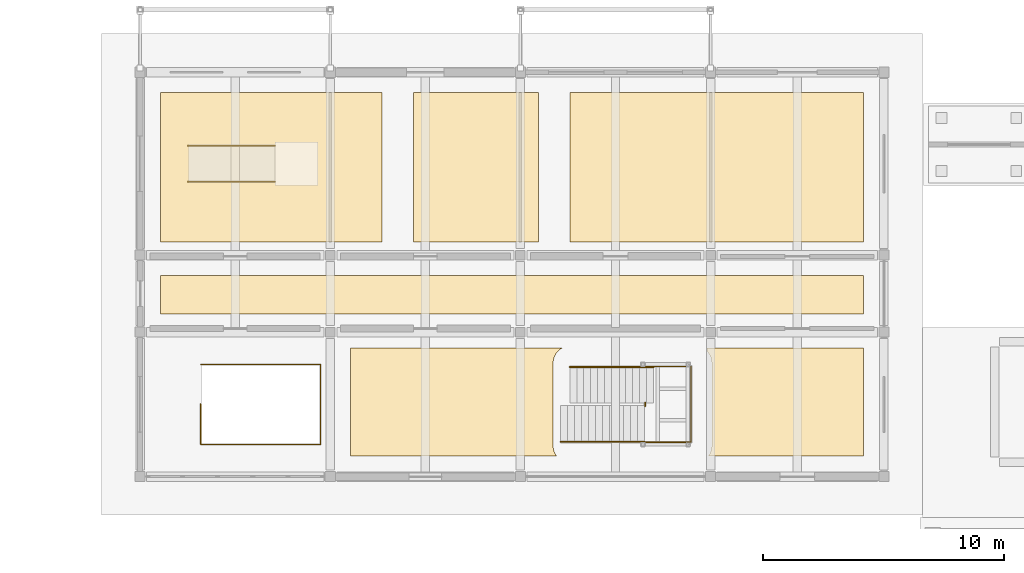
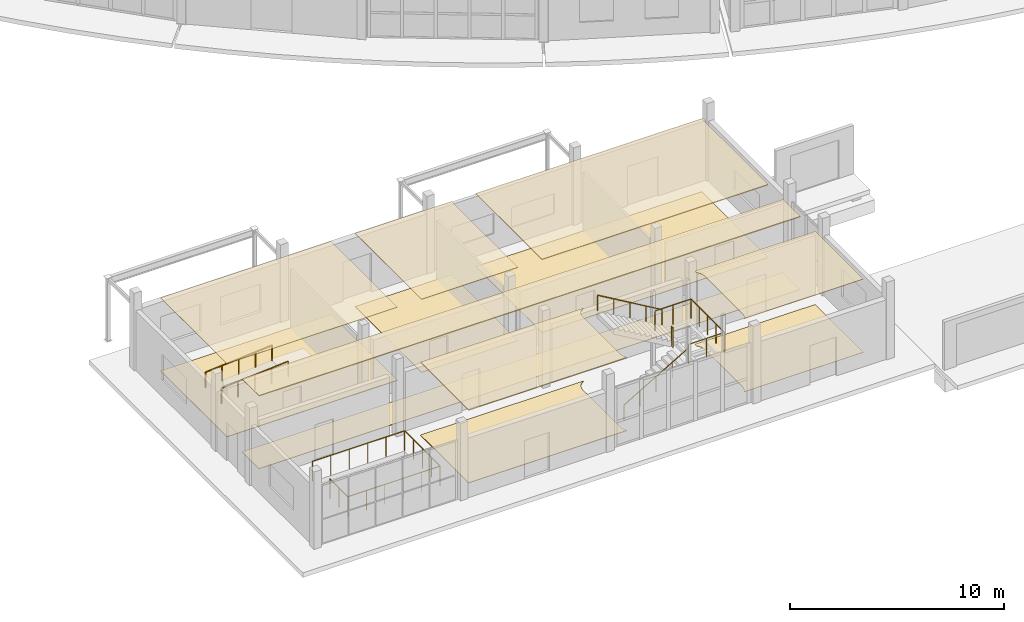
# One storey, part 77 of 92: 12 coverings, 7 railings.
"""IFC4 building model written with IfcOpenShell, lengths in metres."""

from ifc_helpers import new_model, si_unit, direction, frame, origin, origin_2d, place, context, subcontext, project, spatial, polyline, circle, outline, extrude, material, layer, layer_set, type_object, element, save


model = new_model("IFC4")

# Units and contexts
model_context = context("Model", 3, precision=1e-05, world=origin(), true_north=direction((0.0, 1.0)))
body_context = subcontext(model_context, "Body", "Model", "MODEL_VIEW")
ifc_project = project(units=[si_unit("LENGTHUNIT", "METRE"), si_unit("AREAUNIT", "SQUARE_METRE"), si_unit("VOLUMEUNIT", "CUBIC_METRE"), si_unit("PLANEANGLEUNIT", "RADIAN"), si_unit("MASSUNIT", "GRAM", prefix="KILO")], contexts=[model_context])

# Site, building, storey
site_placement = place(None, origin())
site = spatial("IfcSite", under=ifc_project, at=site_placement, CompositionType="ELEMENT")
building_placement = place(site_placement, origin())
building = spatial("IfcBuilding", under=site, at=building_placement, Name="Caldaven Crescent School", CompositionType="ELEMENT")
storey_placement = place(building_placement, origin())
storey = spatial("IfcBuildingStorey", under=building, at=storey_placement, Name="L00", CompositionType="ELEMENT", Elevation=0.0)

# Coverings
ifc_material_1 = material(Name="Perforated Pino Radiata acoustic timber baffle ceiling", Category="wood")
ifc_layer_1 = layer(ifc_material_1, 0.030029296875)
ifc_layer_set_1 = layer_set([ifc_layer_1], Name="Perforated Pino Radiata acoustic timber baffle ceiling")
covering_type_1 = type_object("IfcCoveringType", Name="COV-CLG1", PredefinedType="CEILING", material=ifc_layer_set_1)
covering_1_placement = place(storey_placement, frame((0.0, 0.0, 4.169921875)))
element("IfcCovering", 1, at=covering_1_placement, inside=storey, type_object=covering_type_1, Name="CLG-L00-044", PredefinedType="CEILING", context=body_context, shape_type="SweptSolid", body=[
    extrude(outline(polyline([(35.550048828125, 20.14990234375), (35.550048828125, 13.949951171875), (26.35009765625, 13.949951171875), (26.35009765625, 20.14990234375), (35.550048828125, 20.14990234375)])), origin(), (0.0, 0.0, 1.0), 0.030029296875),
])
covering_2_placement = place(storey_placement, frame((0.0, 0.0, 4.169921875)))
element("IfcCovering", 2, at=covering_2_placement, inside=storey, type_object=covering_type_1, Name="CLG-L00-048", PredefinedType="CEILING", context=body_context, shape_type="SweptSolid", body=[
    extrude(outline(polyline([(49.050048828125, 9.550048828125), (55.550048828125, 9.550048828125), (55.550048828125, 5.050048828125), (49.10205078125, 5.050048828125), (49.104736328125, 5.053466796875), (49.119384765625, 5.0732421875), (49.144287109375, 5.1103515625), (49.156982421875, 5.131591796875), (49.177001953125, 5.169189453125), (49.1875, 5.191162109375), (49.205078125, 5.23388671875), (49.21337890625, 5.2568359375), (49.2255859375, 5.29736328125), (49.2314453125, 5.3212890625), (49.240234375, 5.365234375), (49.243896484375, 5.3896484375), (49.248291015625, 5.43359375), (49.24951171875, 5.4580078125), (49.25, 5.47998046875), (49.25, 8.919921875), (49.24951171875, 8.94189453125), (49.248291015625, 8.966552734375), (49.243896484375, 9.010498046875), (49.240234375, 9.03466796875), (49.2314453125, 9.078857421875), (49.2255859375, 9.1025390625), (49.21337890625, 9.14306640625), (49.205078125, 9.166259765625), (49.1875, 9.208740234375), (49.177001953125, 9.23095703125), (49.156982421875, 9.2685546875), (49.144287109375, 9.28955078125), (49.119384765625, 9.326904296875), (49.104736328125, 9.346435546875), (49.07666015625, 9.380859375), (49.060302734375, 9.39892578125), (49.050048828125, 9.4091796875), (49.050048828125, 9.550048828125)])), origin(), (0.0, 0.0, 1.0), 0.030029296875),
])
ifc_layer_2 = layer(ifc_material_1, 0.0380859375)
ifc_layer_set_2 = layer_set([ifc_layer_2], Name="Perforated Pino Radiata acoustic timber baffle ceiling")
covering_type_2 = type_object("IfcCoveringType", Name="COV-CLG2", PredefinedType="CEILING", material=ifc_layer_set_2)
covering_3_placement = place(storey_placement, frame((0.0, 0.0, 4.162109375)))
element("IfcCovering", 3, at=covering_3_placement, inside=storey, type_object=covering_type_2, Name="CLG-L00-045", PredefinedType="CEILING", context=body_context, shape_type="SweptSolid", body=[
    extrude(outline(polyline([(42.050048828125, 20.14990234375), (42.050048828125, 13.949951171875), (36.85009765625, 13.949951171875), (36.85009765625, 20.14990234375), (42.050048828125, 20.14990234375)])), origin(), (0.0, 0.0, 1.0), 0.037841796875),
])
ifc_layer_3 = layer(ifc_material_1, 0.0458984375)
ifc_layer_set_3 = layer_set([ifc_layer_3], Name="Perforated Pino Radiata acoustic timber baffle ceiling")
covering_type_3 = type_object("IfcCoveringType", Name="COV-CLG3", PredefinedType="CEILING", material=ifc_layer_set_3)
covering_4_placement = place(storey_placement, frame((0.0, 0.0, 4.154052734375)))
element("IfcCovering", 4, at=covering_4_placement, inside=storey, type_object=covering_type_3, Name="CLG-L00-046", PredefinedType="CEILING", context=body_context, shape_type="SweptSolid", body=[
    extrude(outline(polyline([(55.550048828125, 20.14990234375), (55.550048828125, 13.949951171875), (43.35009765625, 13.949951171875), (43.35009765625, 20.14990234375), (55.550048828125, 20.14990234375)])), origin(), (0.0, 0.0, 1.0), 0.0458984375),
])
ifc_layer_4 = layer(ifc_material_1, 0.053955078125)
ifc_layer_set_4 = layer_set([ifc_layer_4], Name="Perforated Pino Radiata acoustic timber baffle ceiling")
covering_type_4 = type_object("IfcCoveringType", Name="COV-CLG4", PredefinedType="CEILING", material=ifc_layer_set_4)
covering_5_placement = place(storey_placement, frame((0.0, 0.0, 4.14599609375)))
element("IfcCovering", 5, at=covering_5_placement, inside=storey, type_object=covering_type_4, Name="CLG-L00-043", PredefinedType="CEILING", context=body_context, shape_type="SweptSolid", body=[
    extrude(outline(polyline([(55.550048828125, 12.550048828125), (55.550048828125, 10.949951171875), (26.35009765625, 10.949951171875), (26.35009765625, 12.550048828125), (55.550048828125, 12.550048828125)])), origin(), (0.0, 0.0, 1.0), 0.053955078125),
])
covering_6_placement = place(storey_placement, frame((0.0, 0.0, 4.14599609375)))
element("IfcCovering", 6, at=covering_6_placement, inside=storey, type_object=covering_type_4, Name="CLG-L00-047", PredefinedType="CEILING", context=body_context, shape_type="SweptSolid", body=[
    extrude(outline(polyline([(34.25, 5.050048828125), (34.25, 9.550048828125), (43.053466796875, 9.550048828125), (43.047119140625, 9.547119140625), (43.009521484375, 9.52685546875), (42.98828125, 9.514404296875), (42.951171875, 9.489501953125), (42.931396484375, 9.474853515625), (42.897216796875, 9.44677734375), (42.87890625, 9.43017578125), (42.847900390625, 9.39892578125), (42.831298828125, 9.380859375), (42.80322265625, 9.346435546875), (42.78857421875, 9.326904296875), (42.763671875, 9.28955078125), (42.751220703125, 9.2685546875), (42.73095703125, 9.23095703125), (42.720458984375, 9.208740234375), (42.702880859375, 9.166259765625), (42.694580078125, 9.14306640625), (42.6826171875, 9.1025390625), (42.676513671875, 9.078857421875), (42.667724609375, 9.03466796875), (42.6640625, 9.010498046875), (42.65966796875, 8.966552734375), (42.658447265625, 8.94189453125), (42.657958984375, 8.919921875), (42.657958984375, 5.47998046875), (42.658447265625, 5.4580078125), (42.65966796875, 5.43359375), (42.6640625, 5.3896484375), (42.667724609375, 5.365234375), (42.676513671875, 5.3212890625), (42.6826171875, 5.29736328125), (42.694580078125, 5.2568359375), (42.702880859375, 5.23388671875), (42.720458984375, 5.191162109375), (42.73095703125, 5.169189453125), (42.751220703125, 5.131591796875), (42.763671875, 5.1103515625), (42.78857421875, 5.0732421875), (42.80322265625, 5.053466796875), (42.805908203125, 5.050048828125), (34.25, 5.050048828125)])), origin(), (0.0, 0.0, 1.0), 0.053955078125),
])
ifc_material_2 = material(Name="Polished terrazzo and acoustic linoleum flooring")
ifc_layer_5 = layer(ifc_material_2, 0.02001953125)
ifc_layer_set_5 = layer_set([ifc_layer_5], Name="Polished terrazzo and acoustic linoleum flooring")
covering_type_5 = type_object("IfcCoveringType", Name="COV-FLR1", PredefinedType="FLOORING", material=ifc_layer_set_5)
covering_7_placement = place(storey_placement, origin())
element("IfcCovering", 7, at=covering_7_placement, inside=storey, type_object=covering_type_5, Name="FLR-L00-045", PredefinedType="FLOORING", context=body_context, shape_type="SweptSolid", body=[
    extrude(outline(polyline([(36.85009765625, 20.14990234375), (42.050048828125, 20.14990234375), (42.050048828125, 13.949951171875), (36.85009765625, 13.949951171875), (36.85009765625, 20.14990234375)])), origin(), (0.0, 0.0, 1.0), 0.02001953125),
])
covering_8_placement = place(storey_placement, origin())
element("IfcCovering", 8, at=covering_8_placement, inside=storey, type_object=covering_type_5, Name="FLR-L00-048", PredefinedType="FLOORING", context=body_context, shape_type="SweptSolid", body=[
    extrude(outline(polyline([(49.050048828125, 9.4091796875), (49.050048828125, 9.550048828125), (55.550048828125, 9.550048828125), (55.550048828125, 5.050048828125), (49.10205078125, 5.050048828125), (49.104736328125, 5.053466796875), (49.119384765625, 5.0732421875), (49.144287109375, 5.1103515625), (49.156982421875, 5.131591796875), (49.177001953125, 5.169189453125), (49.1875, 5.191162109375), (49.205078125, 5.23388671875), (49.21337890625, 5.2568359375), (49.2255859375, 5.29736328125), (49.2314453125, 5.3212890625), (49.240234375, 5.365234375), (49.243896484375, 5.3896484375), (49.248291015625, 5.43359375), (49.24951171875, 5.4580078125), (49.25, 5.47998046875), (49.25, 8.919921875), (49.24951171875, 8.94189453125), (49.248291015625, 8.966552734375), (49.243896484375, 9.010498046875), (49.240234375, 9.03466796875), (49.2314453125, 9.078857421875), (49.2255859375, 9.1025390625), (49.21337890625, 9.14306640625), (49.205078125, 9.166259765625), (49.1875, 9.208740234375), (49.177001953125, 9.23095703125), (49.156982421875, 9.2685546875), (49.144287109375, 9.28955078125), (49.119384765625, 9.326904296875), (49.104736328125, 9.346435546875), (49.07666015625, 9.380859375), (49.060302734375, 9.39892578125), (49.050048828125, 9.4091796875)])), origin(), (0.0, 0.0, 1.0), 0.02001953125),
])
ifc_layer_6 = layer(ifc_material_2, 0.02587890625)
ifc_layer_set_6 = layer_set([ifc_layer_6], Name="Polished terrazzo and acoustic linoleum flooring")
covering_type_6 = type_object("IfcCoveringType", Name="COV-FLR2", PredefinedType="FLOORING", material=ifc_layer_set_6)
covering_9_placement = place(storey_placement, origin())
element("IfcCovering", 9, at=covering_9_placement, inside=storey, type_object=covering_type_6, Name="FLR-L00-043", PredefinedType="FLOORING", context=body_context, shape_type="SweptSolid", body=[
    extrude(outline(polyline([(26.35009765625, 12.550048828125), (55.550048828125, 12.550048828125), (55.550048828125, 10.949951171875), (26.35009765625, 10.949951171875), (26.35009765625, 12.550048828125)])), origin(), (0.0, 0.0, 1.0), 0.02587890625),
])
covering_10_placement = place(storey_placement, origin())
element("IfcCovering", 10, at=covering_10_placement, inside=storey, type_object=covering_type_6, Name="FLR-L00-046", PredefinedType="FLOORING", context=body_context, shape_type="SweptSolid", body=[
    extrude(outline(polyline([(43.35009765625, 20.14990234375), (55.550048828125, 20.14990234375), (55.550048828125, 13.949951171875), (43.35009765625, 13.949951171875), (43.35009765625, 20.14990234375)])), origin(), (0.0, 0.0, 1.0), 0.02587890625),
])
ifc_layer_7 = layer(ifc_material_2, 0.031982421875)
ifc_layer_set_7 = layer_set([ifc_layer_7], Name="Polished terrazzo and acoustic linoleum flooring")
covering_type_7 = type_object("IfcCoveringType", Name="COV-FLR3", PredefinedType="FLOORING", material=ifc_layer_set_7)
covering_11_placement = place(storey_placement, origin())
element("IfcCovering", 11, at=covering_11_placement, inside=storey, type_object=covering_type_7, Name="FLR-L00-044", PredefinedType="FLOORING", context=body_context, shape_type="SweptSolid", body=[
    extrude(outline(polyline([(26.35009765625, 20.14990234375), (35.550048828125, 20.14990234375), (35.550048828125, 13.949951171875), (26.35009765625, 13.949951171875), (26.35009765625, 20.14990234375)])), origin(), (0.0, 0.0, 1.0), 0.031982421875),
])
covering_12_placement = place(storey_placement, origin())
element("IfcCovering", 12, at=covering_12_placement, inside=storey, type_object=covering_type_7, Name="FLR-L00-047", PredefinedType="FLOORING", context=body_context, shape_type="SweptSolid", body=[
    extrude(outline(polyline([(42.805908203125, 5.050048828125), (34.25, 5.050048828125), (34.25, 9.550048828125), (43.053466796875, 9.550048828125), (43.047119140625, 9.547119140625), (43.009521484375, 9.52685546875), (42.98828125, 9.514404296875), (42.951171875, 9.489501953125), (42.931396484375, 9.474853515625), (42.897216796875, 9.44677734375), (42.87890625, 9.43017578125), (42.847900390625, 9.39892578125), (42.831298828125, 9.380859375), (42.80322265625, 9.346435546875), (42.78857421875, 9.326904296875), (42.763671875, 9.28955078125), (42.751220703125, 9.2685546875), (42.73095703125, 9.23095703125), (42.720458984375, 9.208740234375), (42.702880859375, 9.166259765625), (42.694580078125, 9.14306640625), (42.6826171875, 9.1025390625), (42.676513671875, 9.078857421875), (42.667724609375, 9.03466796875), (42.6640625, 9.010498046875), (42.65966796875, 8.966552734375), (42.658447265625, 8.94189453125), (42.657958984375, 8.919921875), (42.657958984375, 5.47998046875), (42.658447265625, 5.4580078125), (42.65966796875, 5.43359375), (42.6640625, 5.3896484375), (42.667724609375, 5.365234375), (42.676513671875, 5.3212890625), (42.6826171875, 5.29736328125), (42.694580078125, 5.2568359375), (42.702880859375, 5.23388671875), (42.720458984375, 5.191162109375), (42.73095703125, 5.169189453125), (42.751220703125, 5.131591796875), (42.763671875, 5.1103515625), (42.78857421875, 5.0732421875), (42.80322265625, 5.053466796875), (42.805908203125, 5.050048828125)])), origin(), (0.0, 0.0, 1.0), 0.031982421875),
])

# Railings
ifc_material_3 = material(Name="Brushed stainless-steel continuous tubular handrail", Category="steel")
railing_type_1 = type_object("IfcRailingType", Name="RAL-HR1", PredefinedType="HANDRAIL", material=ifc_material_3)
for number, where, name in (
    (13, (27.5, 16.449951171875, 0.0), "HR-RMP5-L"),
    (14, (27.5, 17.949951171875, 0.0), "HR-RMP5-R"),
):
    element("IfcRailing", number, at=place(storey_placement, frame(where)), inside=storey, type_object=railing_type_1, Name=name, PredefinedType="HANDRAIL", context=body_context, shape_type="SweptSolid", body=[
        extrude(circle(Radius=0.02392578125, at=origin_2d()), frame((0.0, 0.0, 0.8759765625), z_axis=(0.996988498323, 0.0, 0.077549559716), x_axis=(0.0, 1.0, 0.0)), (0.0, 0.0, 1.0), 3.611083984375),
        extrude(circle(Radius=0.02099609375, at=origin_2d()), origin(), (0.0, 0.0, 1.0), 0.851806640625),
        extrude(circle(Radius=0.02099609375, at=origin_2d()), frame((0.89990234375, 0.0, 0.070068359375)), (0.0, 0.0, 1.0), 0.851806640625),
        extrude(circle(Radius=0.02099609375, at=origin_2d()), frame((1.800048828125, 0.0, 0.14013671875)), (0.0, 0.0, 1.0), 0.851806640625),
        extrude(circle(Radius=0.02099609375, at=origin_2d()), frame((2.7001953125, 0.0, 0.2099609375)), (0.0, 0.0, 1.0), 0.851806640625),
        extrude(circle(Radius=0.02099609375, at=origin_2d()), frame((3.60009765625, 0.0, 0.280029296875)), (0.0, 0.0, 1.0), 0.851806640625),
    ])
railing_type_2 = type_object("IfcRailingType", Name="RAL-HR2", PredefinedType="HANDRAIL", material=ifc_material_3)
railing_1_placement = place(storey_placement, frame((42.969970703125, 5.64501953125, 0.173095703125)))
element("IfcRailing", 15, at=railing_1_placement, inside=storey, type_object=railing_type_2, Name="HR-STV4S-L00-F1", PredefinedType="HANDRAIL", context=body_context, shape_type="SweptSolid", body=[
    extrude(circle(Radius=0.02392578125, at=origin_2d()), frame((0.0, 0.0, 0.8759765625), z_axis=(0.862718911971, 0.0, 0.505683773644), x_axis=(0.0, 1.0, 0.0)), (0.0, 0.0, 1.0), 4.03369140625),
    extrude(circle(Radius=0.02099609375, at=origin_2d()), origin(), (0.0, 0.0, 1.0), 0.851806640625),
    extrude(circle(Radius=0.02099609375, at=origin_2d()), frame((0.8701171875, 0.0, 0.510009765625)), (0.0, 0.0, 1.0), 0.851806640625),
    extrude(circle(Radius=0.02099609375, at=origin_2d()), frame((1.739990234375, 0.0, 1.02001953125)), (0.0, 0.0, 1.0), 0.851806640625),
    extrude(circle(Radius=0.02099609375, at=origin_2d()), frame((2.60986328125, 0.0, 1.52978515625)), (0.0, 0.0, 1.0), 0.851806640625),
    extrude(circle(Radius=0.02099609375, at=origin_2d()), frame((3.47998046875, 0.0, 2.039794921875)), (0.0, 0.0, 1.0), 0.851806640625),
])
railing_2_placement = place(storey_placement, frame((46.830078125, 8.7548828125, 2.383056640625)))
element("IfcRailing", 16, at=railing_2_placement, inside=storey, type_object=railing_type_2, Name="HR-STV4S-L00-F2", PredefinedType="HANDRAIL", context=body_context, shape_type="SweptSolid", body=[
    extrude(circle(Radius=0.02392578125, at=origin_2d()), frame((0.0, 0.0, 0.8759765625), z_axis=(-0.862692506924, 0.0, 0.505728819128), x_axis=(0.0, -1.0, 0.0)), (0.0, 0.0, 1.0), 4.033935546875),
    extrude(circle(Radius=0.02099609375, at=origin_2d()), origin(), (0.0, 0.0, 1.0), 0.851806640625),
    extrude(circle(Radius=0.02099609375, at=origin_2d()), frame((-0.8701171875, 0.0, 0.510009765625)), (0.0, 0.0, 1.0), 0.851806640625),
    extrude(circle(Radius=0.02099609375, at=origin_2d()), frame((-1.739990234375, 0.0, 1.02001953125)), (0.0, 0.0, 1.0), 0.851806640625),
    extrude(circle(Radius=0.02099609375, at=origin_2d()), frame((-2.60986328125, 0.0, 1.530029296875)), (0.0, 0.0, 1.0), 0.851806640625),
    extrude(circle(Radius=0.02099609375, at=origin_2d()), frame((-3.47998046875, 0.0, 2.0400390625)), (0.0, 0.0, 1.0), 0.851806640625),
])
ifc_material_4 = material(Name="Powder-coated tubular steel balustrade ASTM A572 Grade 50", Category="steel")
railing_type_3 = type_object("IfcRailingType", Name="RAL-INT2", PredefinedType="BALUSTRADE", material=ifc_material_4)
railing_3_placement = place(storey_placement, frame((46.449951171875, 5.6298828125, 2.2099609375)))
element("IfcRailing", 17, at=railing_3_placement, inside=storey, type_object=railing_type_3, Name="GD-LND-STV4S-L00", PredefinedType="BALUSTRADE", context=body_context, shape_type="SweptSolid", body=[
    extrude(circle(Radius=0.02392578125, at=origin_2d()), frame((0.0, 0.0, 1.09619140625), z_axis=(1.0, 0.0, 0.0), x_axis=(0.0, 1.0, 0.0)), (0.0, 0.0, 1.0), 1.93994140625),
    extrude(circle(Radius=0.02392578125, at=origin_2d()), frame((1.93994140625, 0.0, 1.09619140625), z_axis=(0.0, 1.0, 0.0), x_axis=(-1.0, 0.0, 0.0)), (0.0, 0.0, 1.0), 3.14013671875),
    extrude(circle(Radius=0.02392578125, at=origin_2d()), frame((1.93994140625, 3.14013671875, 1.09619140625), z_axis=(-1.0, 0.0, 0.0), x_axis=(0.0, -1.0, 0.0)), (0.0, 0.0, 1.0), 1.93994140625),
    extrude(circle(Radius=0.02099609375, at=origin_2d()), origin(), (0.0, 0.0, 1.0), 1.072021484375),
    extrude(circle(Radius=0.02099609375, at=origin_2d()), frame((0.969970703125, 0.0, 0.0)), (0.0, 0.0, 1.0), 1.072021484375),
    extrude(circle(Radius=0.02099609375, at=origin_2d()), frame((1.93994140625, 0.0, 0.0)), (0.0, 0.0, 1.0), 1.072021484375),
    extrude(circle(Radius=0.02099609375, at=origin_2d()), frame((1.93994140625, 0.78515625, 0.0)), (0.0, 0.0, 1.0), 1.072021484375),
    extrude(circle(Radius=0.02099609375, at=origin_2d()), frame((1.93994140625, 1.570068359375, 0.0)), (0.0, 0.0, 1.0), 1.072021484375),
    extrude(circle(Radius=0.02099609375, at=origin_2d()), frame((1.93994140625, 2.35498046875, 0.0)), (0.0, 0.0, 1.0), 1.072021484375),
    extrude(circle(Radius=0.02099609375, at=origin_2d()), frame((1.93994140625, 3.14013671875, 0.0)), (0.0, 0.0, 1.0), 1.072021484375),
    extrude(circle(Radius=0.02099609375, at=origin_2d()), frame((0.969970703125, 3.14013671875, 0.0)), (0.0, 0.0, 1.0), 1.072021484375),
    extrude(circle(Radius=0.02099609375, at=origin_2d()), frame((0.0, 3.14013671875, 0.0)), (0.0, 0.0, 1.0), 1.072021484375),
])
railing_4_placement = place(storey_placement, frame((46.47998046875, 7.1298828125, 2.2099609375)))
element("IfcRailing", 18, at=railing_4_placement, inside=storey, type_object=railing_type_3, Name="GD-SLT-STV4S-L00", PredefinedType="BALUSTRADE", context=body_context, shape_type="SweptSolid", body=[
    extrude(circle(Radius=0.02392578125, at=origin_2d()), frame((0.0, 0.0, 1.09619140625), z_axis=(0.0, 1.0, 0.0), x_axis=(-1.0, 0.0, 0.0)), (0.0, 0.0, 1.0), 0.14013671875),
    extrude(circle(Radius=0.02099609375, at=origin_2d()), origin(), (0.0, 0.0, 1.0), 1.072021484375),
    extrude(circle(Radius=0.02099609375, at=origin_2d()), frame((0.0, 0.14013671875, 0.0)), (0.0, 0.0, 1.0), 1.072021484375),
])
railing_type_4 = type_object("IfcRailingType", Name="RAL-INT3", PredefinedType="BALUSTRADE", material=ifc_material_4)
railing_5_placement = place(storey_placement, frame((28.01806640625, 7.219970703125, 0.0)))
element("IfcRailing", 19, at=railing_5_placement, inside=storey, type_object=railing_type_4, Name="GD-WELL-STB2-L00", PredefinedType="BALUSTRADE", context=body_context, shape_type="SweptSolid", body=[
    extrude(circle(Radius=0.02392578125, at=origin_2d()), frame((0.0, 0.0, 1.1259765625), z_axis=(0.0, -1.0, 0.0), x_axis=(1.0, 0.0, 0.0)), (0.0, 0.0, 1.0), 1.679931640625),
    extrude(circle(Radius=0.02392578125, at=origin_2d()), frame((0.0, -1.679931640625, 1.1259765625), z_axis=(1.0, 0.0, 0.0), x_axis=(0.0, 1.0, 0.0)), (0.0, 0.0, 1.0), 4.98193359375),
    extrude(circle(Radius=0.02392578125, at=origin_2d()), frame((4.98193359375, -1.679931640625, 1.1259765625), z_axis=(0.0, 1.0, 0.0), x_axis=(-1.0, 0.0, 0.0)), (0.0, 0.0, 1.0), 3.320068359375),
    extrude(circle(Radius=0.02392578125, at=origin_2d()), frame((4.98193359375, 1.64013671875, 1.1259765625), z_axis=(-1.0, 0.0, 0.0), x_axis=(0.0, -1.0, 0.0)), (0.0, 0.0, 1.0), 4.98193359375),
    extrude(circle(Radius=0.02099609375, at=origin_2d()), origin(), (0.0, 0.0, 1.0), 1.101806640625),
    extrude(circle(Radius=0.02099609375, at=origin_2d()), frame((0.0, -0.83984375, 0.0)), (0.0, 0.0, 1.0), 1.101806640625),
    extrude(circle(Radius=0.02099609375, at=origin_2d()), frame((0.0, -1.679931640625, 0.0)), (0.0, 0.0, 1.0), 1.101806640625),
    extrude(circle(Radius=0.02099609375, at=origin_2d()), frame((0.996337890625, -1.679931640625, 0.0)), (0.0, 0.0, 1.0), 1.101806640625),
    extrude(circle(Radius=0.02099609375, at=origin_2d()), frame((1.99267578125, -1.679931640625, 0.0)), (0.0, 0.0, 1.0), 1.101806640625),
    extrude(circle(Radius=0.02099609375, at=origin_2d()), frame((2.9892578125, -1.679931640625, 0.0)), (0.0, 0.0, 1.0), 1.101806640625),
    extrude(circle(Radius=0.02099609375, at=origin_2d()), frame((3.985595703125, -1.679931640625, 0.0)), (0.0, 0.0, 1.0), 1.101806640625),
    extrude(circle(Radius=0.02099609375, at=origin_2d()), frame((4.98193359375, -1.679931640625, 0.0)), (0.0, 0.0, 1.0), 1.101806640625),
    extrude(circle(Radius=0.02099609375, at=origin_2d()), frame((4.98193359375, -0.849853515625, 0.0)), (0.0, 0.0, 1.0), 1.101806640625),
    extrude(circle(Radius=0.02099609375, at=origin_2d()), frame((4.98193359375, -0.02001953125, 0.0)), (0.0, 0.0, 1.0), 1.101806640625),
    extrude(circle(Radius=0.02099609375, at=origin_2d()), frame((4.98193359375, 0.81005859375, 0.0)), (0.0, 0.0, 1.0), 1.101806640625),
    extrude(circle(Radius=0.02099609375, at=origin_2d()), frame((4.98193359375, 1.64013671875, 0.0)), (0.0, 0.0, 1.0), 1.101806640625),
    extrude(circle(Radius=0.02099609375, at=origin_2d()), frame((3.985595703125, 1.64013671875, 0.0)), (0.0, 0.0, 1.0), 1.101806640625),
    extrude(circle(Radius=0.02099609375, at=origin_2d()), frame((2.9892578125, 1.64013671875, 0.0)), (0.0, 0.0, 1.0), 1.101806640625),
    extrude(circle(Radius=0.02099609375, at=origin_2d()), frame((1.99267578125, 1.64013671875, 0.0)), (0.0, 0.0, 1.0), 1.101806640625),
    extrude(circle(Radius=0.02099609375, at=origin_2d()), frame((0.996337890625, 1.64013671875, 0.0)), (0.0, 0.0, 1.0), 1.101806640625),
    extrude(circle(Radius=0.02099609375, at=origin_2d()), frame((0.0, 1.64013671875, 0.0)), (0.0, 0.0, 1.0), 1.101806640625),
])

save(model, "model.ifc")
